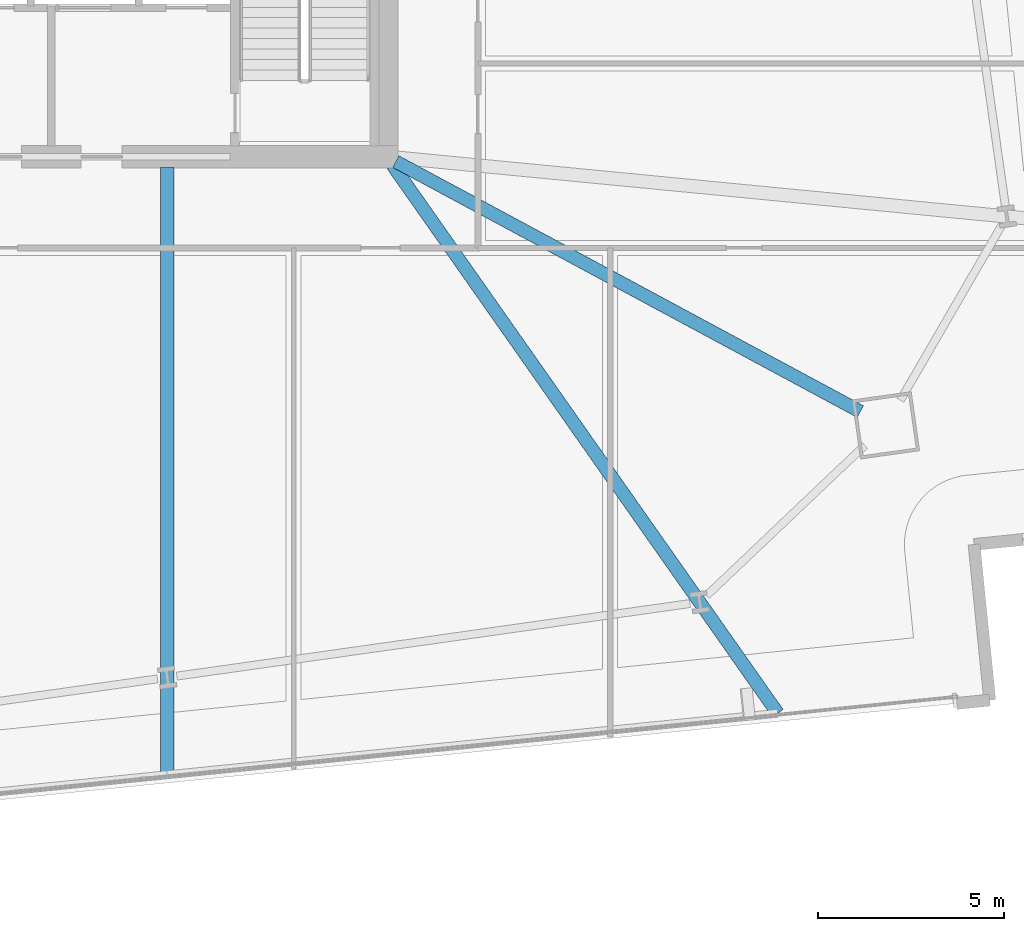
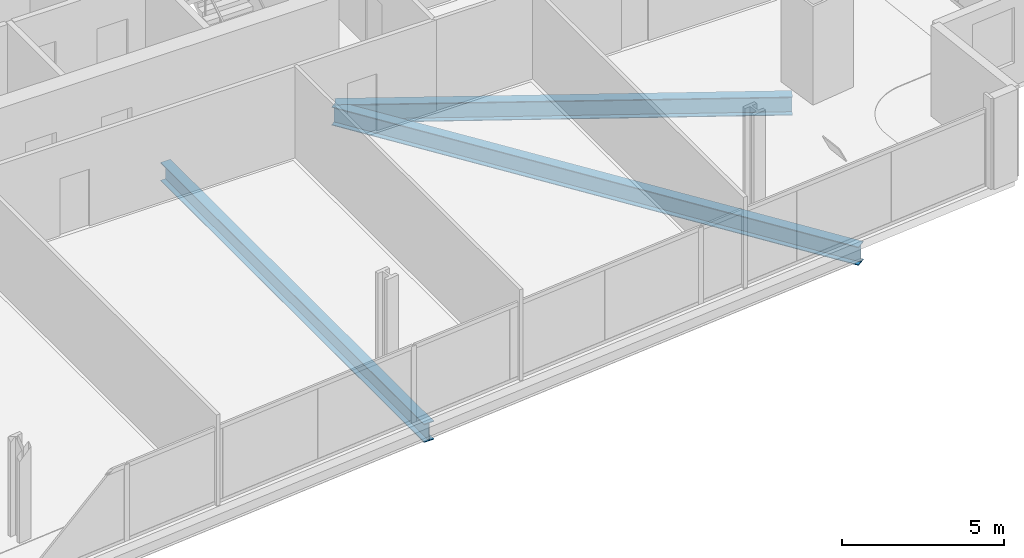
# One storey, part 10 of 33: 3 beams.
"""IFC4 building model written with IfcOpenShell, lengths in metres."""

import ifcopenshell
import ifcopenshell.guid

model = None  # the IFC model being written
_history = None  # IfcOwnerHistory: only IFC2X3 demands one
_inside = {}  # id of a spatial element -> (the spatial element, [elements in it])
_under = {}  # id of a project, library or spatial element -> (it, [spatial elements below it])
_declared = {}  # id of a project -> (the project, [libraries it declares])
_typed = {}  # id of a type object -> (the type object, [elements of that type])
_made_of = {}  # id of a material, layer set ... -> (it, [elements and type objects made of it])


def new_model(schema):
    """Start an empty IFC model of exactly this schema.

    Asked for "IFC4X3", IfcOpenShell would pick the latest addendum, in which some entities
    have other attributes; the version numbers below select the first issue.
    IFC2X3 requires an IfcOwnerHistory on every rooted entity: one is made here for all.
    """
    global model, _history
    if schema == "IFC4X3":
        model = ifcopenshell.file(schema_version=(4, 3, 0, 0))
    else:
        model = ifcopenshell.file(schema=schema)
    _inside.clear()
    _under.clear()
    _declared.clear()
    _typed.clear()
    _made_of.clear()
    _history = None
    if model.schema == "IFC2X3":
        org = make("IfcOrganization", Name="unknown")
        user = make(
            "IfcPersonAndOrganization",
            ThePerson=make("IfcPerson", FamilyName="unknown"),
            TheOrganization=org,
        )
        app = make(
            "IfcApplication",
            ApplicationDeveloper=org,
            Version="unknown",
            ApplicationFullName="unknown",
            ApplicationIdentifier="unknown",
        )
        _history = make(
            "IfcOwnerHistory",
            OwningUser=user,
            OwningApplication=app,
            ChangeAction="ADDED",
            CreationDate=0,
        )
    return model


def make(cls, **values):
    """One entity of the class cls with the attributes given. An attribute that is None is left unset."""
    return model.create_entity(
        cls, **{name: value for name, value in values.items() if value is not None}
    )


def rooted(cls, **values):
    """An entity with a GlobalId (a new one), such as an element, a storey or a relation."""
    return make(cls, GlobalId=ifcopenshell.guid.new(), OwnerHistory=_history, **values)


def si_unit(unit_type, name, prefix=None):
    """IfcSIUnit, for example si_unit("LENGTHUNIT", "METRE", prefix="MILLI")."""
    return make("IfcSIUnit", UnitType=unit_type, Prefix=prefix, Name=name)


def assignment(units):
    """IfcUnitAssignment: the units of a project."""
    return None if units is None else make("IfcUnitAssignment", Units=units)


def point(xyz):
    """IfcCartesianPoint."""
    return None if xyz is None else make("IfcCartesianPoint", Coordinates=xyz)


def direction(xyz):
    """IfcDirection."""
    return None if xyz is None else make("IfcDirection", DirectionRatios=xyz)


def frame(location, z_axis=None, x_axis=None):
    """IfcAxis2Placement3D, a coordinate frame: its origin and axes. An axis left out is left unset."""
    return make(
        "IfcAxis2Placement3D",
        Location=point(location),
        Axis=direction(z_axis),
        RefDirection=direction(x_axis),
    )


def frame_2d(location, x_axis=None):
    """IfcAxis2Placement2D, a coordinate frame in the plane: its origin and x axis."""
    return make(
        "IfcAxis2Placement2D", Location=point(location), RefDirection=direction(x_axis)
    )


def origin():
    """The frame at (0, 0, 0) with its axes left unset."""
    return frame((0.0, 0.0, 0.0))


def origin_2d():
    """The frame at (0, 0) in the plane with its x axis left unset."""
    return frame_2d((0.0, 0.0))


def place(relative_to, where):
    """IfcLocalPlacement: puts the frame where relative to a parent placement (None: the world)."""
    return make(
        "IfcLocalPlacement", PlacementRelTo=relative_to, RelativePlacement=where
    )


def context(
    kind, dimensions, precision=None, world=None, true_north=None, identifier=None
):
    """IfcGeometricRepresentationContext, for example the 3D "Model" context."""
    return make(
        "IfcGeometricRepresentationContext",
        ContextIdentifier=identifier,
        ContextType=kind,
        CoordinateSpaceDimension=dimensions,
        Precision=precision,
        WorldCoordinateSystem=world,
        TrueNorth=true_north,
    )


def subcontext(parent, identifier, kind, view, scale=None):
    """IfcGeometricRepresentationSubContext, for example "Body" below "Model"."""
    return make(
        "IfcGeometricRepresentationSubContext",
        ContextIdentifier=identifier,
        ContextType=kind,
        ParentContext=parent,
        TargetScale=scale,
        TargetView=view,
    )


def project(units=None, contexts=None):
    """IfcProject with its units and contexts."""
    return rooted(
        "IfcProject",
        Name="project",
        RepresentationContexts=contexts,
        UnitsInContext=assignment(units),
    )


def spatial(cls, under=None, at=None, **own):
    """A site, building, storey or space (cls), placed at a placement, below another one or the project."""
    s = rooted(cls, ObjectPlacement=at, **own)
    if under is not None:
        _under.setdefault(under.id(), (under, []))[1].append(s)
    return s


def profile(cls, at=None, kind="AREA", **sizes):
    """A parametric profile (cls). Its sizes go by their IFC names, for example OverallWidth=200.0."""
    return make(cls, ProfileType=kind, Position=at, **sizes)


def i_section(**sizes):
    """IfcIShapeProfileDef."""
    return profile("IfcIShapeProfileDef", **sizes)


def extrude(swept, where, along, depth):
    """IfcExtrudedAreaSolid: the profile swept, set in the frame where, extruded along a direction by depth."""
    return make(
        "IfcExtrudedAreaSolid",
        SweptArea=swept,
        Position=where,
        ExtrudedDirection=direction(along),
        Depth=depth,
    )


def shape(context_of_items, identifier, shape_type, items):
    """IfcShapeRepresentation: the items that make up one representation, for example the "Body"."""
    return make(
        "IfcShapeRepresentation",
        ContextOfItems=context_of_items,
        RepresentationIdentifier=identifier,
        RepresentationType=shape_type,
        Items=items,
    )


def material(Name=None, Category=None):
    """IfcMaterial."""
    return make("IfcMaterial", Name=Name, Category=Category)


def material_profile(
    of_material, cross_section, Name=None, Category=None, Priority=None
):
    """IfcMaterialProfile: a cross section and its material."""
    return make(
        "IfcMaterialProfile",
        Name=Name,
        Material=of_material,
        Profile=cross_section,
        Priority=Priority,
        Category=Category,
    )


def profile_set(profiles, Name=None, composite=None):
    """IfcMaterialProfileSet."""
    return make(
        "IfcMaterialProfileSet",
        Name=Name,
        MaterialProfiles=profiles,
        CompositeProfile=composite,
    )


def made_of(thing, what):
    """Note that an element or type object is made of a material, layer set ...; save() writes the relation."""
    if what is not None:
        _made_of.setdefault(what.id(), (what, []))[1].append(thing)
    return thing


def type_object(cls, material=None, **own):
    """A type object (cls), such as IfcWallType, which elements share."""
    return made_of(rooted(cls, **own), material)


def element(
    cls,
    number,
    at=None,
    inside=None,
    cuts=None,
    type_object=None,
    material=None,
    context=None,
    identifier="Body",
    shape_type=None,
    held_by="IfcProductDefinitionShape",
    body=None,
    shapes=None,
    **own,
):
    """One element of the class cls, such as IfcWall. Its Tag is "e" and its number.

    at: its placement. inside: the storey or other place that contains it. cuts: it is an
    opening in that element (IfcRelVoidsElement). A single representation is given by context,
    identifier, shape_type and body (its items); several are given by shapes. held_by: the class
    of the entity that holds the representations. save() writes the other relations.
    """
    e = rooted(cls, Tag="e%d" % number, ObjectPlacement=at, **own)
    if body is not None:
        shapes = [shape(context, identifier, shape_type, body)]
    if shapes is not None:
        e.Representation = make(held_by, Representations=shapes)
    if inside is not None:
        _inside.setdefault(inside.id(), (inside, []))[1].append(e)
    if cuts is not None:
        rooted(
            "IfcRelVoidsElement", RelatingBuildingElement=cuts, RelatedOpeningElement=e
        )
    if type_object is not None:
        _typed.setdefault(type_object.id(), (type_object, []))[1].append(e)
    return made_of(e, material)


def aggregate(whole, parts):
    """IfcRelAggregates: a whole, such as a stair, and the parts it consists of."""
    return rooted("IfcRelAggregates", RelatingObject=whole, RelatedObjects=parts)


def save(model, path):
    """Write the relations noted so far, then the file.

    IfcRelAggregates (storeys below a building ...), IfcRelContainedInSpatialStructure (elements
    in a storey), IfcRelDefinesByType, IfcRelAssociatesMaterial and IfcRelDeclares: one each for
    every whole, place, type object, material and project.
    """
    for whole, parts in _under.values():
        aggregate(whole, parts)
    for where, things in _inside.values():
        rooted(
            "IfcRelContainedInSpatialStructure",
            RelatedElements=things,
            RelatingStructure=where,
        )
    for kind, things in _typed.values():
        rooted("IfcRelDefinesByType", RelatedObjects=things, RelatingType=kind)
    for what, things in _made_of.values():
        rooted("IfcRelAssociatesMaterial", RelatedObjects=things, RelatingMaterial=what)
    for by, libraries in _declared.values():
        rooted("IfcRelDeclares", RelatingContext=by, RelatedDefinitions=libraries)
    model.write(path)


model = new_model("IFC4")

# Units and contexts
model_context = context("Model", 3, precision=1e-05, world=origin(), true_north=direction((0.0, 1.0)))
body_context = subcontext(model_context, "Body", "Model", "MODEL_VIEW")
ifc_project = project(units=[si_unit("LENGTHUNIT", "METRE"), si_unit("AREAUNIT", "SQUARE_METRE"), si_unit("VOLUMEUNIT", "CUBIC_METRE"), si_unit("PLANEANGLEUNIT", "RADIAN"), si_unit("MASSUNIT", "GRAM", prefix="KILO")], contexts=[model_context])

# Site, building, storey
site_placement = place(None, origin())
site = spatial("IfcSite", under=ifc_project, at=site_placement, CompositionType="ELEMENT")
building_placement = place(site_placement, origin())
building = spatial("IfcBuilding", under=site, at=building_placement, Name="Haldenkirk Collegiate Tower", CompositionType="ELEMENT")
storey_placement = place(building_placement, frame((0.0, 0.0, 47.699951171875)))
storey = spatial("IfcBuildingStorey", under=building, at=storey_placement, Name="L10", CompositionType="ELEMENT", Elevation=47.699951171875)

# Beams
ifc_material = material(Name="Steel ASTM A992 Grade 50", Category="steel")
ifc_material_profile = material_profile(ifc_material, i_section(OverallWidth=0.35498046875, OverallDepth=0.696044921875, WebThickness=0.015380859375, FlangeThickness=0.02490234375, at=origin_2d()), Name="W27X146")
ifc_profile_set = profile_set([ifc_material_profile], Name="Steel ASTM A992 Grade 50")
beam_type = type_object("IfcBeamType", Name="BM-GIRDER-W27X146", PredefinedType="BEAM", material=ifc_profile_set)
beam_1_placement = place(storey_placement, frame((57.71435546875, 11.15673828125, -0.657958984375), z_axis=(-0.880558564783, 0.473937352386, 0.0), x_axis=(-0.473937352386, -0.880558564783, 0.0)))
element("IfcBeam", 1, at=beam_1_placement, inside=storey, type_object=beam_type, Name="L10 primary floor girder 02", PredefinedType="BEAM", context=body_context, shape_type="SweptSolid", body=[
    extrude(i_section(OverallWidth=0.35498046875, OverallDepth=0.696044921875, WebThickness=0.015380859375, FlangeThickness=0.02490234375, at=origin_2d()), origin(), (0.0, 0.0, 1.0), 14.158935546875),
])
beam_2_placement = place(storey_placement, frame((39.10888671875, 1.40771484375, -0.657958984375), z_axis=(0.0, 1.0, 0.0), x_axis=(-1.0, 0.0, 0.0)))
element("IfcBeam", 2, at=beam_2_placement, inside=storey, type_object=beam_type, Name="L10 primary floor girder 06", PredefinedType="BEAM", context=body_context, shape_type="SweptSolid", body=[
    extrude(i_section(OverallWidth=0.35498046875, OverallDepth=0.696044921875, WebThickness=0.015380859375, FlangeThickness=0.02490234375, at=origin_2d()), origin(), (0.0, 0.0, 1.0), 16.312255859375),
])
beam_3_placement = place(storey_placement, frame((55.497802734375, 3.05810546875, -0.657958984375), z_axis=(-0.574875747649, 0.818240719327, 0.0), x_axis=(-0.818240719327, -0.574875747649, 0.0)))
element("IfcBeam", 3, at=beam_3_placement, inside=storey, type_object=beam_type, Name="L10 primary floor girder 07", PredefinedType="BEAM", context=body_context, shape_type="SweptSolid", body=[
    extrude(i_section(OverallWidth=0.35498046875, OverallDepth=0.696044921875, WebThickness=0.015380859375, FlangeThickness=0.02490234375, at=origin_2d()), origin(), (0.0, 0.0, 1.0), 17.981201171875),
])

save(model, "model.ifc")
